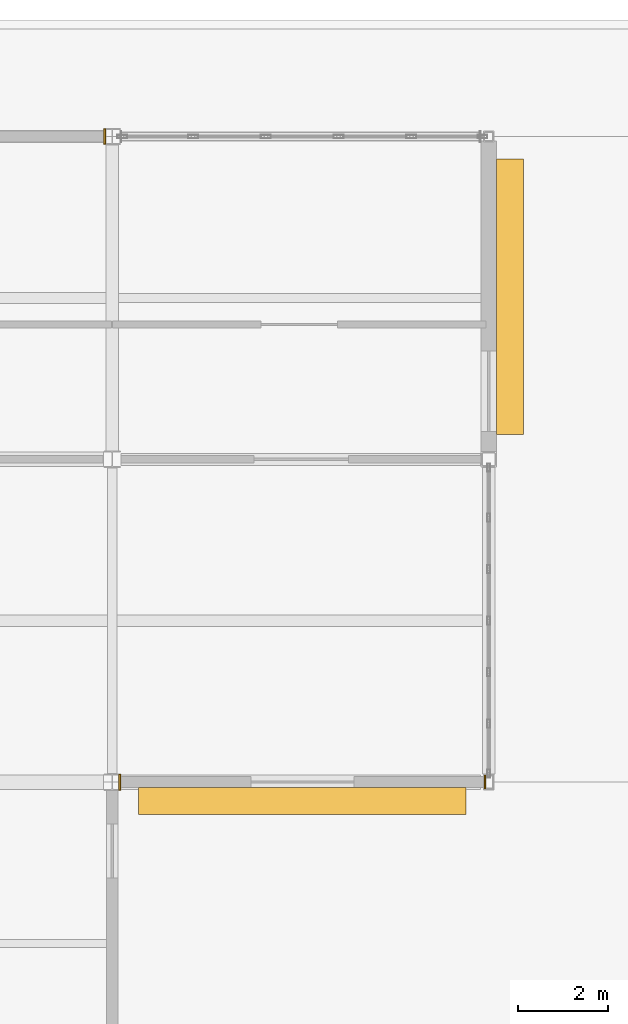
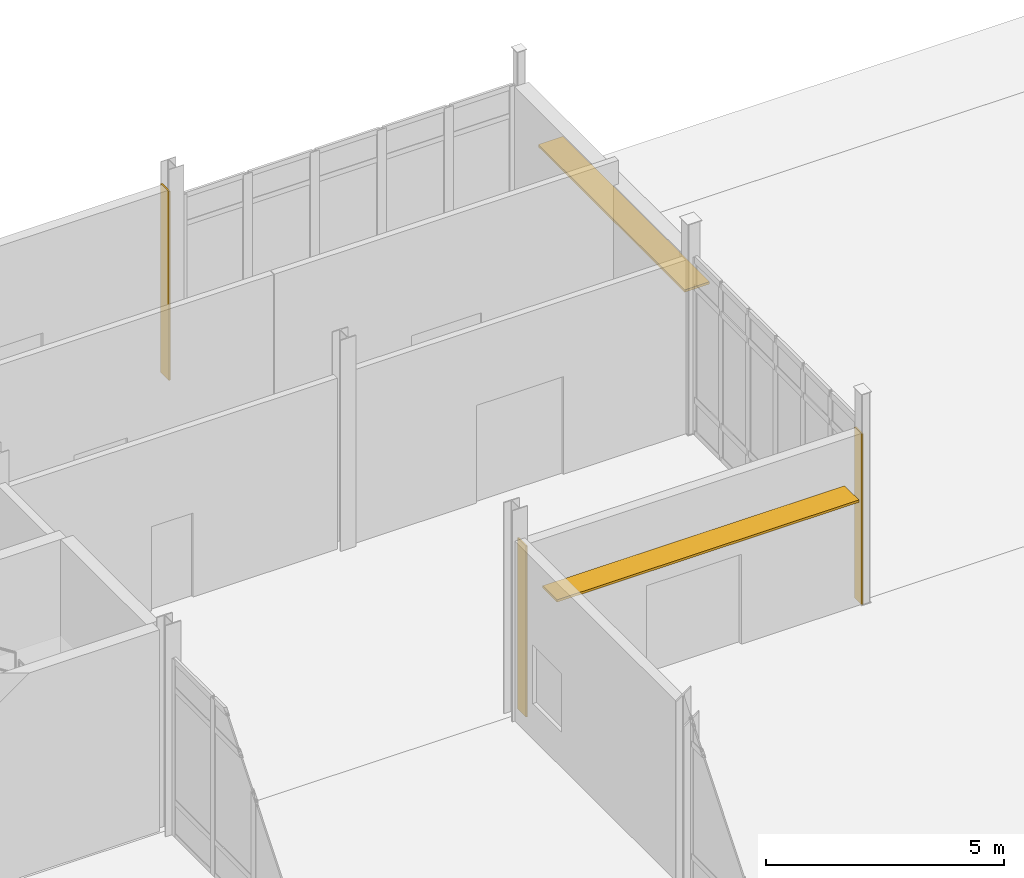
# One storey, part 221 of 229: 3 coverings, 2 shading devices.
"""IFC4 building model written with IfcOpenShell, lengths in metres."""

from ifc_helpers import new_model, si_unit, direction, frame, origin, origin_2d, place, context, subcontext, project, spatial, polyline, rectangle, outline, extrude, material, layer, layer_set, type_object, element, save


model = new_model("IFC4")

# Units and contexts
model_context = context("Model", 3, precision=1e-05, world=origin(), true_north=direction((0.0, 1.0)))
body_context = subcontext(model_context, "Body", "Model", "MODEL_VIEW")
ifc_project = project(units=[si_unit("LENGTHUNIT", "METRE"), si_unit("AREAUNIT", "SQUARE_METRE"), si_unit("VOLUMEUNIT", "CUBIC_METRE"), si_unit("PLANEANGLEUNIT", "RADIAN"), si_unit("MASSUNIT", "GRAM", prefix="KILO")], contexts=[model_context])

# Site, building, storey
site_placement = place(None, origin())
site = spatial("IfcSite", under=ifc_project, at=site_placement, CompositionType="ELEMENT")
building_placement = place(site_placement, origin())
building = spatial("IfcBuilding", under=site, at=building_placement, Name="Calvrana Isthmian Art Gallery", CompositionType="ELEMENT")
storey_placement = place(building_placement, origin())
storey = spatial("IfcBuildingStorey", under=building, at=storey_placement, Name="L00", CompositionType="ELEMENT", Elevation=0.0)

# Coverings
ifc_material_1 = material(Name="Polychrome glazed terracotta", Category="masonry")
ifc_layer_1 = layer(ifc_material_1, 0.0400390625, Name="Polychrome glazed terracotta")
ifc_layer_set_1 = layer_set([ifc_layer_1], Name="Polychrome glazed terracotta")
covering_type = type_object("IfcCoveringType", Name="COV-CLAD-TERRA", PredefinedType="CLADDING", material=ifc_layer_set_1)
covering_1_placement = place(storey_placement, origin())
element("IfcCovering", 1, at=covering_1_placement, inside=storey, type_object=covering_type, Name="Column pocket weather closure L00-08-13-W", PredefinedType="CLADDING", context=body_context, shape_type="SweptSolid", body=[
    extrude(outline(polyline([(63.74658203125, 98.220947265625), (63.78662109375, 98.220947265625), (63.78662109375, 98.5791015625), (63.74658203125, 98.5791015625), (63.74658203125, 98.220947265625)])), origin(), (0.0, 0.0, 1.0), 4.3779296875),
])
covering_2_placement = place(storey_placement, origin())
element("IfcCovering", 2, at=covering_2_placement, inside=storey, type_object=covering_type, Name="Column pocket weather closure L00-08-13-E", PredefinedType="CLADDING", context=body_context, shape_type="SweptSolid", body=[
    extrude(outline(polyline([(71.8984375, 98.252685546875), (71.9384765625, 98.252685546875), (71.9384765625, 98.54736328125), (71.8984375, 98.54736328125), (71.8984375, 98.252685546875)])), origin(), (0.0, 0.0, 1.0), 4.3779296875),
])
covering_3_placement = place(storey_placement, origin())
element("IfcCovering", 3, at=covering_3_placement, inside=storey, type_object=covering_type, Name="Column pocket weather closure L00-07-15-E", PredefinedType="CLADDING", context=body_context, shape_type="SweptSolid", body=[
    extrude(outline(polyline([(63.416015625, 112.626953125), (63.4560546875, 112.626953125), (63.4560546875, 112.972900390625), (63.416015625, 112.972900390625), (63.416015625, 112.626953125)])), origin(), (0.0, 0.0, 1.0), 4.835205078125),
])

# Shading devices
ifc_material_2 = material(Name="Anodized bronze aluminium 6063-T6", Category="aluminium")
ifc_layer_2 = layer(ifc_material_2, 0.06005859375, Name="Anodized bronze aluminium 6063-T6")
ifc_layer_set_2 = layer_set([ifc_layer_2], Name="Anodized bronze aluminium 6063-T6")
shading_device_type = type_object("IfcShadingDeviceType", Name="SHD-LOUVRE-600", PredefinedType="JALOUSIE", material=ifc_layer_set_2)
shading_device_1_placement = place(storey_placement, frame((67.84228515625, 97.97705078125, 3.119873046875), z_axis=(0.0, 0.0, 1.0), x_axis=(-1.0, 0.0, 0.0)))
element("IfcShadingDevice", 4, at=shading_device_1_placement, inside=storey, type_object=shading_device_type, Name="Anodized bronze horizontal canopy sunshade LV-05", PredefinedType="JALOUSIE", context=body_context, shape_type="SweptSolid", body=[
    extrude(rectangle(XDim=7.31201171875, YDim=0.60009765625, at=origin_2d()), origin(), (0.0, 0.0, 1.0), 0.06005859375),
])
shading_device_2_placement = place(storey_placement, frame((72.472900390625, 109.225341796875, 3.119873046875), z_axis=(0.0, 0.0, 1.0), x_axis=(0.0, -1.0, 0.0)))
element("IfcShadingDevice", 5, at=shading_device_2_placement, inside=storey, type_object=shading_device_type, Name="Anodized bronze horizontal canopy sunshade LV-12", PredefinedType="JALOUSIE", context=body_context, shape_type="SweptSolid", body=[
    extrude(rectangle(XDim=6.14599609375, YDim=0.60009765625, at=origin_2d()), origin(), (0.0, 0.0, 1.0), 0.06005859375),
])

save(model, "model.ifc")
